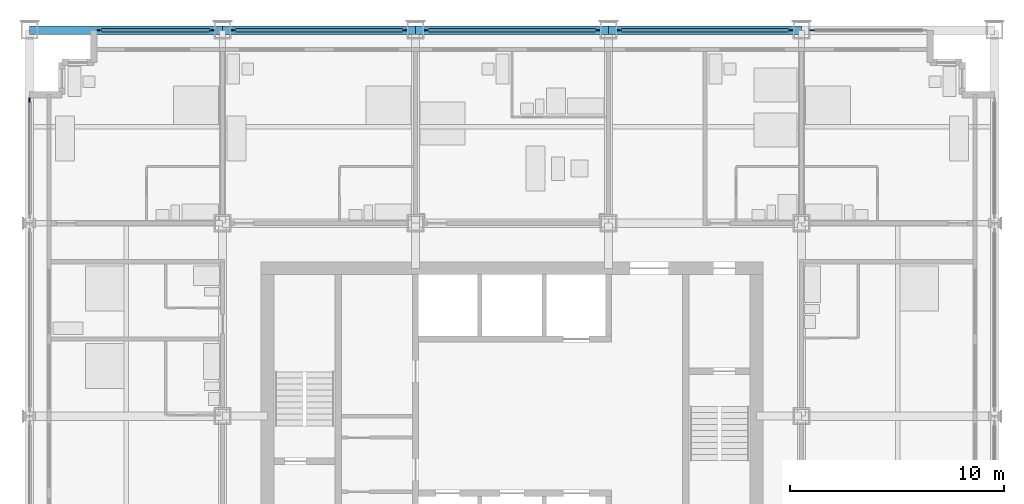
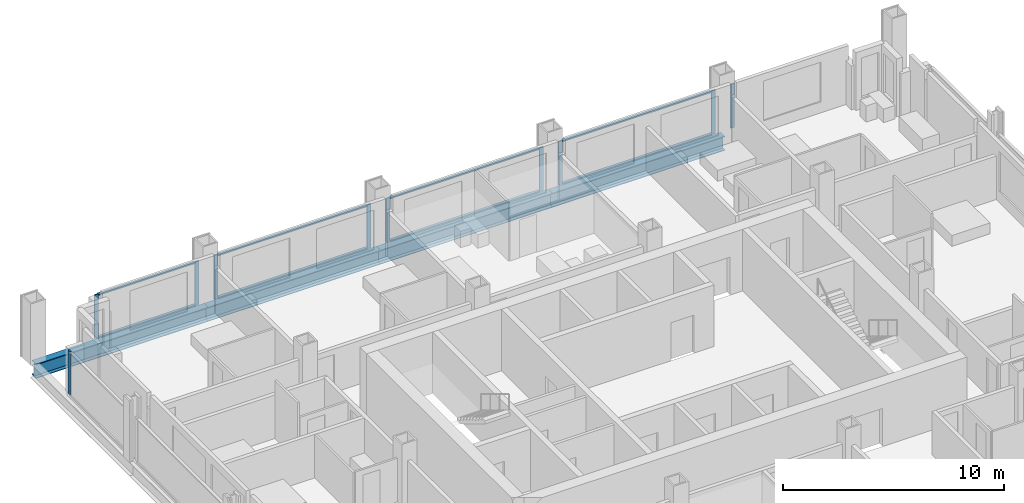
# One storey, part 6 of 16: 18 members, 4 beams, 6 elements without a shape of their own.
"""IFC4 building model written with IfcOpenShell, lengths in metres."""

from ifc_helpers import new_model, si_unit, direction, frame, origin, origin_2d, place, context, subcontext, project, spatial, rectangle, i_section, extrude, material, material_profile, profile_set, type_object, element, aggregate, save


model = new_model("IFC4")

# Units and contexts
model_context = context("Model", 3, precision=1e-05, world=origin(), true_north=direction((0.0, 1.0)))
body_context = subcontext(model_context, "Body", "Model", "MODEL_VIEW")
ifc_project = project(units=[si_unit("LENGTHUNIT", "METRE"), si_unit("AREAUNIT", "SQUARE_METRE"), si_unit("VOLUMEUNIT", "CUBIC_METRE"), si_unit("PLANEANGLEUNIT", "RADIAN"), si_unit("MASSUNIT", "GRAM", prefix="KILO")], contexts=[model_context])

# Site, building, storey
site_placement = place(None, origin())
site = spatial("IfcSite", under=ifc_project, at=site_placement, CompositionType="ELEMENT")
building_placement = place(site_placement, origin())
building = spatial("IfcBuilding", under=site, at=building_placement, Name="Loomwork Tower", CompositionType="ELEMENT")
storey_placement = place(building_placement, frame((0.0, 0.0, 121.39990234375)))
storey = spatial("IfcBuildingStorey", under=building, at=storey_placement, Name="L32", CompositionType="ELEMENT", Elevation=121.39990234375)

# Curtain wall, members
ifc_material_1 = material(Name="Aluminium curtain wall frame", Category="aluminium")
curtain_wall_type = type_object("IfcCurtainWallType", Name="Outer skin glazing hotel", PredefinedType="NOTDEFINED", material=ifc_material_1)
curtain_wall_1_placement = place(storey_placement, origin())
curtain_wall_1 = element("IfcCurtainWall", 1, at=curtain_wall_1_placement, inside=storey, type_object=curtain_wall_type, Name="Outer skin glazing hotel cw/N-0", PredefinedType="NOTDEFINED")
ifc_material_2 = material(Name="Aluminium curtain wall frame", Category="aluminium")
ifc_material_profile_1 = material_profile(ifc_material_2, rectangle(XDim=0.06494140625, YDim=0.199951171875, at=origin_2d()), Name="AL 65x200")
ifc_profile_set_1 = profile_set([ifc_material_profile_1], Name="Aluminium curtain wall frame")
member_type_1 = type_object("IfcMemberType", Name="Outer skin glazing hotel mullion", PredefinedType="MULLION", material=ifc_profile_set_1)
member_1_placement = place(storey_placement, frame((8.5, 36.0, 0.0), z_axis=(0.0, 0.0, 1.0), x_axis=(0.0, -1.0, 0.0)))
member_1 = element("IfcMember", 2, at=member_1_placement, type_object=member_type_1, Name="CW1 mullion 1", PredefinedType="MULLION", context=body_context, shape_type="SweptSolid", body=[
    extrude(rectangle(XDim=0.06494140625, YDim=0.199951171875, at=origin_2d()), origin(), (0.0, 0.0, 1.0), 2.42041015625),
])
member_2_placement = place(storey_placement, frame((3.25, 36.0, 0.0), z_axis=(0.0, 0.0, 1.0), x_axis=(0.0, -1.0, 0.0)))
member_2 = element("IfcMember", 3, at=member_2_placement, type_object=member_type_1, Name="CW1 mullion 2", PredefinedType="MULLION", context=body_context, shape_type="SweptSolid", body=[
    extrude(rectangle(XDim=0.06494140625, YDim=0.199951171875, at=origin_2d()), origin(), (0.0, 0.0, 1.0), 2.42041015625),
])

curtain_wall_2_placement = place(storey_placement, origin())
curtain_wall_2 = element("IfcCurtainWall", 4, at=curtain_wall_2_placement, inside=storey, type_object=curtain_wall_type, Name="Outer skin glazing hotel cw/N-9", PredefinedType="NOTDEFINED")
member_3_placement = place(storey_placement, frame((17.5, 36.0, 0.0), z_axis=(0.0, 0.0, 1.0), x_axis=(0.0, -1.0, 0.0)))
member_3 = element("IfcMember", 5, at=member_3_placement, type_object=member_type_1, Name="CW1 mullion 1", PredefinedType="MULLION", context=body_context, shape_type="SweptSolid", body=[
    extrude(rectangle(XDim=0.06494140625, YDim=0.199951171875, at=origin_2d()), origin(), (0.0, 0.0, 1.0), 2.42041015625),
])
member_4_placement = place(storey_placement, frame((9.5, 36.0, 0.0), z_axis=(0.0, 0.0, 1.0), x_axis=(0.0, -1.0, 0.0)))
member_4 = element("IfcMember", 6, at=member_4_placement, type_object=member_type_1, Name="CW1 mullion 2", PredefinedType="MULLION", context=body_context, shape_type="SweptSolid", body=[
    extrude(rectangle(XDim=0.06494140625, YDim=0.199951171875, at=origin_2d()), origin(), (0.0, 0.0, 1.0), 2.42041015625),
])

curtain_wall_3_placement = place(storey_placement, origin())
curtain_wall_3 = element("IfcCurtainWall", 7, at=curtain_wall_3_placement, inside=storey, type_object=curtain_wall_type, Name="Outer skin glazing hotel cw/N-18", PredefinedType="NOTDEFINED")
member_5_placement = place(storey_placement, frame((26.5, 36.0, 0.0), z_axis=(0.0, 0.0, 1.0), x_axis=(0.0, -1.0, 0.0)))
member_5 = element("IfcMember", 8, at=member_5_placement, type_object=member_type_1, Name="CW1 mullion 1", PredefinedType="MULLION", context=body_context, shape_type="SweptSolid", body=[
    extrude(rectangle(XDim=0.06494140625, YDim=0.199951171875, at=origin_2d()), origin(), (0.0, 0.0, 1.0), 2.42041015625),
])
member_6_placement = place(storey_placement, frame((18.5, 36.0, 0.0), z_axis=(0.0, 0.0, 1.0), x_axis=(0.0, -1.0, 0.0)))
member_6 = element("IfcMember", 9, at=member_6_placement, type_object=member_type_1, Name="CW1 mullion 2", PredefinedType="MULLION", context=body_context, shape_type="SweptSolid", body=[
    extrude(rectangle(XDim=0.06494140625, YDim=0.199951171875, at=origin_2d()), origin(), (0.0, 0.0, 1.0), 2.42041015625),
])

curtain_wall_4_placement = place(storey_placement, origin())
curtain_wall_4 = element("IfcCurtainWall", 10, at=curtain_wall_4_placement, inside=storey, type_object=curtain_wall_type, Name="Outer skin glazing hotel cw/N-27", PredefinedType="NOTDEFINED")
member_7_placement = place(storey_placement, frame((35.5, 36.0, 0.0), z_axis=(0.0, 0.0, 1.0), x_axis=(0.0, -1.0, 0.0)))
member_7 = element("IfcMember", 11, at=member_7_placement, type_object=member_type_1, Name="CW1 mullion 1", PredefinedType="MULLION", context=body_context, shape_type="SweptSolid", body=[
    extrude(rectangle(XDim=0.06494140625, YDim=0.199951171875, at=origin_2d()), origin(), (0.0, 0.0, 1.0), 2.42041015625),
])
member_8_placement = place(storey_placement, frame((27.5, 36.0, 0.0), z_axis=(0.0, 0.0, 1.0), x_axis=(0.0, -1.0, 0.0)))
member_8 = element("IfcMember", 12, at=member_8_placement, type_object=member_type_1, Name="CW1 mullion 2", PredefinedType="MULLION", context=body_context, shape_type="SweptSolid", body=[
    extrude(rectangle(XDim=0.06494140625, YDim=0.199951171875, at=origin_2d()), origin(), (0.0, 0.0, 1.0), 2.42041015625),
])

# Curtain wall, member
curtain_wall_5_placement = place(storey_placement, origin())
curtain_wall_5 = element("IfcCurtainWall", 13, at=curtain_wall_5_placement, inside=storey, type_object=curtain_wall_type, Name="Outer skin glazing hotel cw/N-36", PredefinedType="NOTDEFINED")
member_9_placement = place(storey_placement, frame((36.5, 36.0, 0.0), z_axis=(0.0, 0.0, 1.0), x_axis=(0.0, -1.0, 0.0)))
member_9 = element("IfcMember", 14, at=member_9_placement, type_object=member_type_1, Name="CW1 mullion 2", PredefinedType="MULLION", context=body_context, shape_type="SweptSolid", body=[
    extrude(rectangle(XDim=0.06494140625, YDim=0.199951171875, at=origin_2d()), origin(), (0.0, 0.0, 1.0), 2.42041015625),
])
aggregate(curtain_wall_5, [member_9])

curtain_wall_6_placement = place(storey_placement, origin())
curtain_wall_6 = element("IfcCurtainWall", 15, at=curtain_wall_6_placement, inside=storey, type_object=curtain_wall_type, Name="Outer skin glazing hotel cw/W-27", PredefinedType="NOTDEFINED")
member_10_placement = place(storey_placement, frame((0.0, 32.75, 0.0), z_axis=(0.0, 0.0, 1.0), x_axis=(1.0, 0.0, 0.0)))
member_10 = element("IfcMember", 16, at=member_10_placement, type_object=member_type_1, Name="CW1 mullion 1", PredefinedType="MULLION", context=body_context, shape_type="SweptSolid", body=[
    extrude(rectangle(XDim=0.06494140625, YDim=0.199951171875, at=origin_2d()), origin(), (0.0, 0.0, 1.0), 2.42041015625),
])
aggregate(curtain_wall_6, [member_10])

# Member
ifc_material_3 = material(Name="Aluminium curtain wall frame", Category="aluminium")
ifc_material_profile_2 = material_profile(ifc_material_3, rectangle(XDim=0.14990234375, YDim=0.06494140625, at=origin_2d()), Name="AL 65x150")
ifc_profile_set_2 = profile_set([ifc_material_profile_2], Name="Aluminium curtain wall frame")
member_type_2 = type_object("IfcMemberType", Name="Outer skin glazing hotel transom", PredefinedType="USERDEFINED", material=ifc_profile_set_2)
member_11_placement = place(storey_placement, frame((8.39990234375, 36.0, 0.03271484375), z_axis=(-1.0, 0.0, 0.0), x_axis=(0.0, -1.0, 0.0)))
member_11 = element("IfcMember", 17, at=member_11_placement, type_object=member_type_2, Name="CW1 transom 1.1", ObjectType="TRANSOM", PredefinedType="USERDEFINED", context=body_context, shape_type="SweptSolid", body=[
    extrude(rectangle(XDim=0.14990234375, YDim=0.06494140625, at=origin_2d()), origin(), (0.0, 0.0, 1.0), 5.0498046875),
])

member_12_placement = place(storey_placement, frame((8.39990234375, 36.0, 2.3876953125), z_axis=(-1.0, 0.0, 0.0), x_axis=(0.0, -1.0, 0.0)))
member_12 = element("IfcMember", 18, at=member_12_placement, type_object=member_type_2, Name="CW1 transom 1.2", ObjectType="TRANSOM", PredefinedType="USERDEFINED", context=body_context, shape_type="SweptSolid", body=[
    extrude(rectangle(XDim=0.14990234375, YDim=0.06494140625, at=origin_2d()), origin(), (0.0, 0.0, 1.0), 5.0498046875),
])

aggregate(curtain_wall_1, [member_1, member_2, member_11, member_12])

member_13_placement = place(storey_placement, frame((17.39990234375, 36.0, 0.03271484375), z_axis=(-1.0, 0.0, 0.0), x_axis=(0.0, -1.0, 0.0)))
member_13 = element("IfcMember", 19, at=member_13_placement, type_object=member_type_2, Name="CW1 transom 1.1", ObjectType="TRANSOM", PredefinedType="USERDEFINED", context=body_context, shape_type="SweptSolid", body=[
    extrude(rectangle(XDim=0.14990234375, YDim=0.06494140625, at=origin_2d()), origin(), (0.0, 0.0, 1.0), 7.7998046875),
])

member_14_placement = place(storey_placement, frame((17.39990234375, 36.0, 2.3876953125), z_axis=(-1.0, 0.0, 0.0), x_axis=(0.0, -1.0, 0.0)))
member_14 = element("IfcMember", 20, at=member_14_placement, type_object=member_type_2, Name="CW1 transom 1.2", ObjectType="TRANSOM", PredefinedType="USERDEFINED", context=body_context, shape_type="SweptSolid", body=[
    extrude(rectangle(XDim=0.14990234375, YDim=0.06494140625, at=origin_2d()), origin(), (0.0, 0.0, 1.0), 7.7998046875),
])

aggregate(curtain_wall_2, [member_3, member_4, member_13, member_14])

member_15_placement = place(storey_placement, frame((26.39990234375, 36.0, 0.03271484375), z_axis=(-1.0, 0.0, 0.0), x_axis=(0.0, -1.0, 0.0)))
member_15 = element("IfcMember", 21, at=member_15_placement, type_object=member_type_2, Name="CW1 transom 1.1", ObjectType="TRANSOM", PredefinedType="USERDEFINED", context=body_context, shape_type="SweptSolid", body=[
    extrude(rectangle(XDim=0.14990234375, YDim=0.06494140625, at=origin_2d()), origin(), (0.0, 0.0, 1.0), 7.7998046875),
])

member_16_placement = place(storey_placement, frame((26.39990234375, 36.0, 2.3876953125), z_axis=(-1.0, 0.0, 0.0), x_axis=(0.0, -1.0, 0.0)))
member_16 = element("IfcMember", 22, at=member_16_placement, type_object=member_type_2, Name="CW1 transom 1.2", ObjectType="TRANSOM", PredefinedType="USERDEFINED", context=body_context, shape_type="SweptSolid", body=[
    extrude(rectangle(XDim=0.14990234375, YDim=0.06494140625, at=origin_2d()), origin(), (0.0, 0.0, 1.0), 7.7998046875),
])

aggregate(curtain_wall_3, [member_5, member_6, member_15, member_16])

member_17_placement = place(storey_placement, frame((35.39990234375, 36.0, 0.03271484375), z_axis=(-1.0, 0.0, 0.0), x_axis=(0.0, -1.0, 0.0)))
member_17 = element("IfcMember", 23, at=member_17_placement, type_object=member_type_2, Name="CW1 transom 1.1", ObjectType="TRANSOM", PredefinedType="USERDEFINED", context=body_context, shape_type="SweptSolid", body=[
    extrude(rectangle(XDim=0.14990234375, YDim=0.06494140625, at=origin_2d()), origin(), (0.0, 0.0, 1.0), 7.7998046875),
])

member_18_placement = place(storey_placement, frame((35.39990234375, 36.0, 2.3876953125), z_axis=(-1.0, 0.0, 0.0), x_axis=(0.0, -1.0, 0.0)))
member_18 = element("IfcMember", 24, at=member_18_placement, type_object=member_type_2, Name="CW1 transom 1.2", ObjectType="TRANSOM", PredefinedType="USERDEFINED", context=body_context, shape_type="SweptSolid", body=[
    extrude(rectangle(XDim=0.14990234375, YDim=0.06494140625, at=origin_2d()), origin(), (0.0, 0.0, 1.0), 7.7998046875),
])

aggregate(curtain_wall_4, [member_7, member_8, member_17, member_18])

# Beams
ifc_material_4 = material(Name="Steel ASTM A992", Category="steel")
ifc_material_profile_3 = material_profile(ifc_material_4, i_section(OverallWidth=0.381103515625, OverallDepth=0.77978515625, WebThickness=0.01806640625, FlangeThickness=0.0302734375, at=origin_2d()), Name="W30x191")
ifc_profile_set_3 = profile_set([ifc_material_profile_3], Name="Steel ASTM A992")
beam_type = type_object("IfcBeamType", Name="SPANDREL GIRDER W30x191", PredefinedType="SPANDREL", material=ifc_profile_set_3)
for number, where, z_axis, x_axis, name in (
    (25, (0.0, 36.0, -0.58984375), (1.0, 0.0, 0.0), (0.0, 1.0, 0.0), "Spandrel Girder H/2-H/3 L32"),
    (26, (9.0, 36.0, -0.58984375), (1.0, 0.0, 0.0), (0.0, 1.0, 0.0), "Spandrel Girder H/3-H/4 L32"),
    (27, (18.0, 36.0, -0.58984375), (1.0, 0.0, 0.0), (0.0, 1.0, 0.0), "Spandrel Girder H/4-H/5 L32"),
    (28, (27.0, 36.0, -0.58984375), (1.0, 0.0, 0.0), (0.0, 1.0, 0.0), "Spandrel Girder H/5-H/6 L32"),
):
    element("IfcBeam", number, at=place(storey_placement, frame(where, z_axis=z_axis, x_axis=x_axis)), inside=storey, type_object=beam_type, Name=name, PredefinedType="SPANDREL", context=body_context, shape_type="SweptSolid", body=[
        extrude(i_section(OverallWidth=0.381103515625, OverallDepth=0.77978515625, WebThickness=0.01806640625, FlangeThickness=0.0302734375, at=origin_2d()), origin(), (0.0, 0.0, 1.0), 9.0),
    ])

save(model, "model.ifc")
